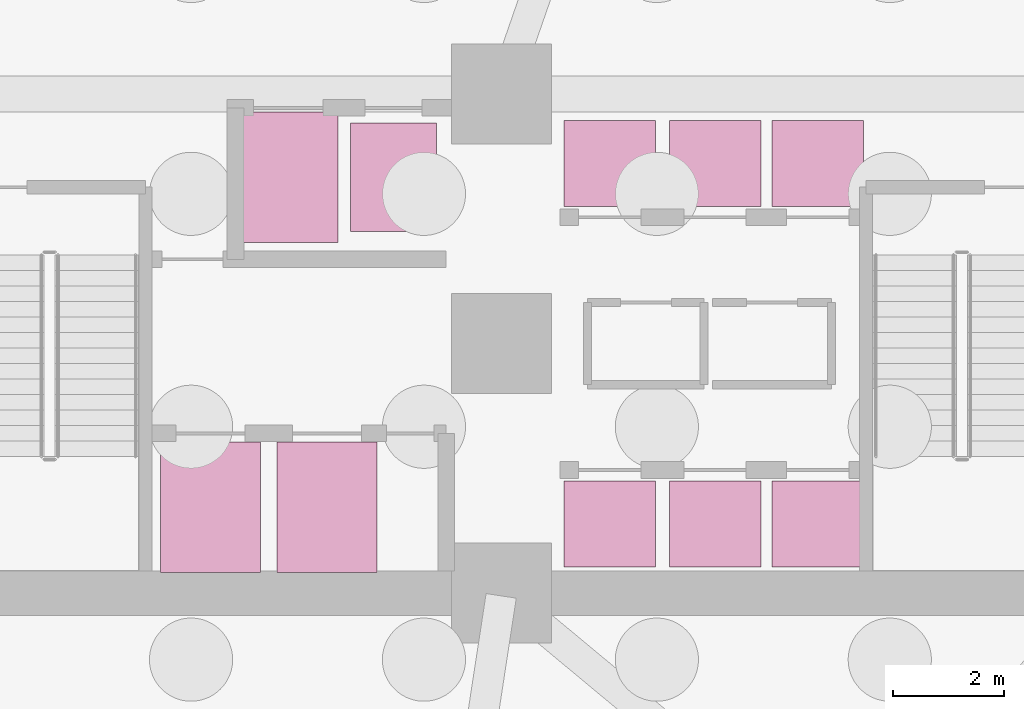
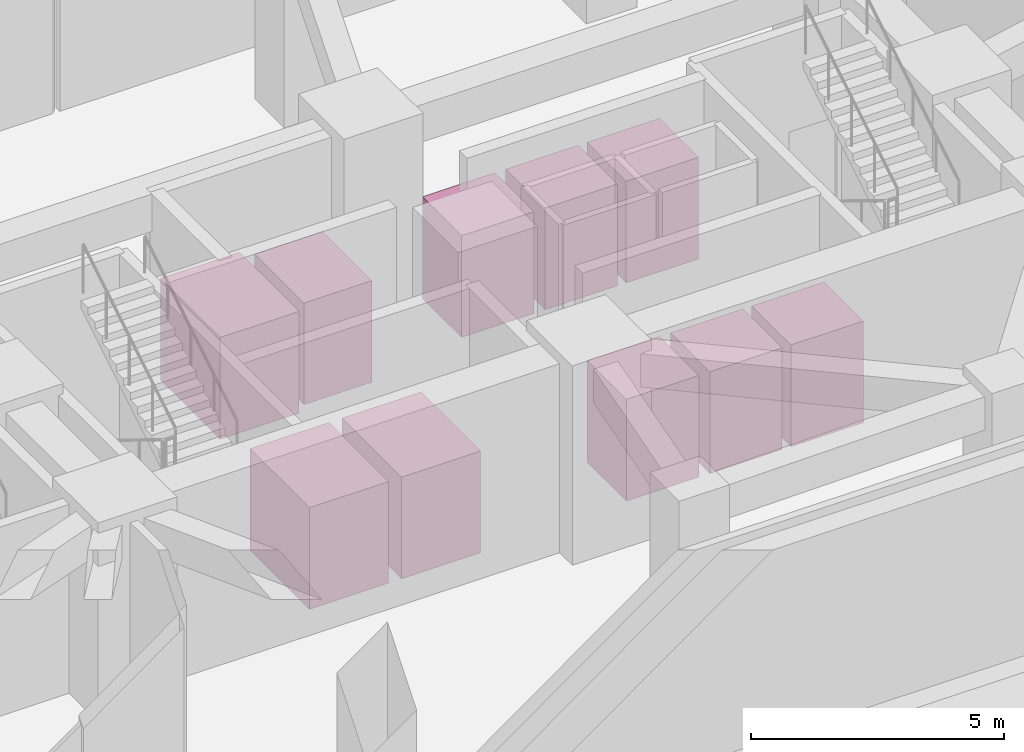
# One storey, part 11 of 11: 10 transport elements.
"""IFC4 building model written with IfcOpenShell, lengths in metres."""

import ifcopenshell
import ifcopenshell.guid

model = None  # the IFC model being written
_history = None  # IfcOwnerHistory: only IFC2X3 demands one
_inside = {}  # id of a spatial element -> (the spatial element, [elements in it])
_under = {}  # id of a project, library or spatial element -> (it, [spatial elements below it])
_declared = {}  # id of a project -> (the project, [libraries it declares])
_typed = {}  # id of a type object -> (the type object, [elements of that type])
_made_of = {}  # id of a material, layer set ... -> (it, [elements and type objects made of it])


def new_model(schema):
    """Start an empty IFC model of exactly this schema.

    Asked for "IFC4X3", IfcOpenShell would pick the latest addendum, in which some entities
    have other attributes; the version numbers below select the first issue.
    IFC2X3 requires an IfcOwnerHistory on every rooted entity: one is made here for all.
    """
    global model, _history
    if schema == "IFC4X3":
        model = ifcopenshell.file(schema_version=(4, 3, 0, 0))
    else:
        model = ifcopenshell.file(schema=schema)
    _inside.clear()
    _under.clear()
    _declared.clear()
    _typed.clear()
    _made_of.clear()
    _history = None
    if model.schema == "IFC2X3":
        org = make("IfcOrganization", Name="unknown")
        user = make(
            "IfcPersonAndOrganization",
            ThePerson=make("IfcPerson", FamilyName="unknown"),
            TheOrganization=org,
        )
        app = make(
            "IfcApplication",
            ApplicationDeveloper=org,
            Version="unknown",
            ApplicationFullName="unknown",
            ApplicationIdentifier="unknown",
        )
        _history = make(
            "IfcOwnerHistory",
            OwningUser=user,
            OwningApplication=app,
            ChangeAction="ADDED",
            CreationDate=0,
        )
    return model


def make(cls, **values):
    """One entity of the class cls with the attributes given. An attribute that is None is left unset."""
    return model.create_entity(
        cls, **{name: value for name, value in values.items() if value is not None}
    )


def rooted(cls, **values):
    """An entity with a GlobalId (a new one), such as an element, a storey or a relation."""
    return make(cls, GlobalId=ifcopenshell.guid.new(), OwnerHistory=_history, **values)


def si_unit(unit_type, name, prefix=None):
    """IfcSIUnit, for example si_unit("LENGTHUNIT", "METRE", prefix="MILLI")."""
    return make("IfcSIUnit", UnitType=unit_type, Prefix=prefix, Name=name)


def assignment(units):
    """IfcUnitAssignment: the units of a project."""
    return None if units is None else make("IfcUnitAssignment", Units=units)


def point(xyz):
    """IfcCartesianPoint."""
    return None if xyz is None else make("IfcCartesianPoint", Coordinates=xyz)


def direction(xyz):
    """IfcDirection."""
    return None if xyz is None else make("IfcDirection", DirectionRatios=xyz)


def frame(location, z_axis=None, x_axis=None):
    """IfcAxis2Placement3D, a coordinate frame: its origin and axes. An axis left out is left unset."""
    return make(
        "IfcAxis2Placement3D",
        Location=point(location),
        Axis=direction(z_axis),
        RefDirection=direction(x_axis),
    )


def frame_2d(location, x_axis=None):
    """IfcAxis2Placement2D, a coordinate frame in the plane: its origin and x axis."""
    return make(
        "IfcAxis2Placement2D", Location=point(location), RefDirection=direction(x_axis)
    )


def origin():
    """The frame at (0, 0, 0) with its axes left unset."""
    return frame((0.0, 0.0, 0.0))


def origin_2d():
    """The frame at (0, 0) in the plane with its x axis left unset."""
    return frame_2d((0.0, 0.0))


def place(relative_to, where):
    """IfcLocalPlacement: puts the frame where relative to a parent placement (None: the world)."""
    return make(
        "IfcLocalPlacement", PlacementRelTo=relative_to, RelativePlacement=where
    )


def context(
    kind, dimensions, precision=None, world=None, true_north=None, identifier=None
):
    """IfcGeometricRepresentationContext, for example the 3D "Model" context."""
    return make(
        "IfcGeometricRepresentationContext",
        ContextIdentifier=identifier,
        ContextType=kind,
        CoordinateSpaceDimension=dimensions,
        Precision=precision,
        WorldCoordinateSystem=world,
        TrueNorth=true_north,
    )


def subcontext(parent, identifier, kind, view, scale=None):
    """IfcGeometricRepresentationSubContext, for example "Body" below "Model"."""
    return make(
        "IfcGeometricRepresentationSubContext",
        ContextIdentifier=identifier,
        ContextType=kind,
        ParentContext=parent,
        TargetScale=scale,
        TargetView=view,
    )


def project(units=None, contexts=None):
    """IfcProject with its units and contexts."""
    return rooted(
        "IfcProject",
        Name="project",
        RepresentationContexts=contexts,
        UnitsInContext=assignment(units),
    )


def spatial(cls, under=None, at=None, **own):
    """A site, building, storey or space (cls), placed at a placement, below another one or the project."""
    s = rooted(cls, ObjectPlacement=at, **own)
    if under is not None:
        _under.setdefault(under.id(), (under, []))[1].append(s)
    return s


def profile(cls, at=None, kind="AREA", **sizes):
    """A parametric profile (cls). Its sizes go by their IFC names, for example OverallWidth=200.0."""
    return make(cls, ProfileType=kind, Position=at, **sizes)


def rectangle(**sizes):
    """IfcRectangleProfileDef."""
    return profile("IfcRectangleProfileDef", **sizes)


def extrude(swept, where, along, depth):
    """IfcExtrudedAreaSolid: the profile swept, set in the frame where, extruded along a direction by depth."""
    return make(
        "IfcExtrudedAreaSolid",
        SweptArea=swept,
        Position=where,
        ExtrudedDirection=direction(along),
        Depth=depth,
    )


def shape(context_of_items, identifier, shape_type, items):
    """IfcShapeRepresentation: the items that make up one representation, for example the "Body"."""
    return make(
        "IfcShapeRepresentation",
        ContextOfItems=context_of_items,
        RepresentationIdentifier=identifier,
        RepresentationType=shape_type,
        Items=items,
    )


def material(Name=None, Category=None):
    """IfcMaterial."""
    return make("IfcMaterial", Name=Name, Category=Category)


def made_of(thing, what):
    """Note that an element or type object is made of a material, layer set ...; save() writes the relation."""
    if what is not None:
        _made_of.setdefault(what.id(), (what, []))[1].append(thing)
    return thing


def type_object(cls, material=None, **own):
    """A type object (cls), such as IfcWallType, which elements share."""
    return made_of(rooted(cls, **own), material)


def element(
    cls,
    number,
    at=None,
    inside=None,
    cuts=None,
    type_object=None,
    material=None,
    context=None,
    identifier="Body",
    shape_type=None,
    held_by="IfcProductDefinitionShape",
    body=None,
    shapes=None,
    **own,
):
    """One element of the class cls, such as IfcWall. Its Tag is "e" and its number.

    at: its placement. inside: the storey or other place that contains it. cuts: it is an
    opening in that element (IfcRelVoidsElement). A single representation is given by context,
    identifier, shape_type and body (its items); several are given by shapes. held_by: the class
    of the entity that holds the representations. save() writes the other relations.
    """
    e = rooted(cls, Tag="e%d" % number, ObjectPlacement=at, **own)
    if body is not None:
        shapes = [shape(context, identifier, shape_type, body)]
    if shapes is not None:
        e.Representation = make(held_by, Representations=shapes)
    if inside is not None:
        _inside.setdefault(inside.id(), (inside, []))[1].append(e)
    if cuts is not None:
        rooted(
            "IfcRelVoidsElement", RelatingBuildingElement=cuts, RelatedOpeningElement=e
        )
    if type_object is not None:
        _typed.setdefault(type_object.id(), (type_object, []))[1].append(e)
    return made_of(e, material)


def aggregate(whole, parts):
    """IfcRelAggregates: a whole, such as a stair, and the parts it consists of."""
    return rooted("IfcRelAggregates", RelatingObject=whole, RelatedObjects=parts)


def save(model, path):
    """Write the relations noted so far, then the file.

    IfcRelAggregates (storeys below a building ...), IfcRelContainedInSpatialStructure (elements
    in a storey), IfcRelDefinesByType, IfcRelAssociatesMaterial and IfcRelDeclares: one each for
    every whole, place, type object, material and project.
    """
    for whole, parts in _under.values():
        aggregate(whole, parts)
    for where, things in _inside.values():
        rooted(
            "IfcRelContainedInSpatialStructure",
            RelatedElements=things,
            RelatingStructure=where,
        )
    for kind, things in _typed.values():
        rooted("IfcRelDefinesByType", RelatedObjects=things, RelatingType=kind)
    for what, things in _made_of.values():
        rooted("IfcRelAssociatesMaterial", RelatedObjects=things, RelatingMaterial=what)
    for by, libraries in _declared.values():
        rooted("IfcRelDeclares", RelatingContext=by, RelatedDefinitions=libraries)
    model.write(path)


model = new_model("IFC4")

# Units and contexts
model_context = context("Model", 3, precision=1e-05, world=origin(), true_north=direction((0.0, 1.0)))
body_context = subcontext(model_context, "Body", "Model", "MODEL_VIEW")
ifc_project = project(units=[si_unit("LENGTHUNIT", "METRE"), si_unit("AREAUNIT", "SQUARE_METRE"), si_unit("VOLUMEUNIT", "CUBIC_METRE"), si_unit("PLANEANGLEUNIT", "RADIAN"), si_unit("MASSUNIT", "GRAM", prefix="KILO")], contexts=[model_context])

# Site, building, storey
site_placement = place(None, origin())
site = spatial("IfcSite", under=ifc_project, at=site_placement, CompositionType="ELEMENT")
building_placement = place(site_placement, origin())
building = spatial("IfcBuilding", under=site, at=building_placement, Name="Gaonmaruhae Medical Tower", CompositionType="ELEMENT")
storey_placement = place(building_placement, frame((0.0, 0.0, -9.60009765625)))
storey = spatial("IfcBuildingStorey", under=building, at=storey_placement, Name="B02", CompositionType="ELEMENT", Elevation=-9.60009765625)

# Transport elements
ifc_material = material(Name="Stainless steel 316L elevator cab", Category="steel")
transport_element_type_1 = type_object("IfcTransportElementType", Name="EL-BD1 Clinical Inpatient Bed Lift Car", PredefinedType="ELEVATOR", material=ifc_material)
transport_element_1_placement = place(storey_placement, frame((20.949951171875, 15.300048828125, 0.0), z_axis=(0.0, 0.0, 1.0), x_axis=(1.0, 0.0, 0.0)))
element("IfcTransportElement", 1, at=transport_element_1_placement, inside=storey, type_object=transport_element_type_1, Name="Elevator Car BDL-01", PredefinedType="ELEVATOR", context=body_context, shape_type="SweptSolid", body=[
    extrude(rectangle(XDim=1.800048828125, YDim=2.35009765625, at=origin_2d()), origin(), (0.0, 0.0, 1.0), 2.449951171875),
])
transport_element_type_2 = type_object("IfcTransportElementType", Name="EL-FF1 Firefighting & Emergency Stretcher Lift Car", PredefinedType="ELEVATOR", material=ifc_material)
for number, where, z_axis, x_axis, name in (
    (2, (19.550048828125, 9.35009765625, 0.0), (0.0, 0.0, 1.0), (1.0, 0.0, 0.0), "Elevator Car FFL-01"),
    (3, (21.64990234375, 9.35009765625, 0.0), (0.0, 0.0, 1.0), (1.0, 0.0, 0.0), "Elevator Car FFL-02"),
):
    element("IfcTransportElement", number, at=place(storey_placement, frame(where, z_axis=z_axis, x_axis=x_axis)), inside=storey, type_object=transport_element_type_2, Name=name, PredefinedType="ELEVATOR", context=body_context, shape_type="SweptSolid", body=[
        extrude(rectangle(XDim=1.800048828125, YDim=2.35009765625, at=origin_2d()), origin(), (0.0, 0.0, 1.0), 2.449951171875),
    ])
transport_element_type_3 = type_object("IfcTransportElementType", Name="EL-PL1 High-Speed Zoned Passenger Lift Car", PredefinedType="ELEVATOR", material=ifc_material)
for number, where, z_axis, x_axis, name in (
    (4, (26.75, 9.050048828125, 0.0), (0.0, 0.0, 1.0), (1.0, 0.0, 0.0), "Elevator Car PL-L1"),
    (5, (28.64990234375, 9.050048828125, 0.0), (0.0, 0.0, 1.0), (1.0, 0.0, 0.0), "Elevator Car PL-L2"),
    (6, (30.5, 9.050048828125, 0.0), (0.0, 0.0, 1.0), (1.0, 0.0, 0.0), "Elevator Car PL-H1"),
    (7, (26.75, 15.550048828125, 0.0), (0.0, 0.0, 1.0), (1.0, 0.0, 0.0), "Elevator Car PL-M1"),
    (8, (28.64990234375, 15.550048828125, 0.0), (0.0, 0.0, 1.0), (1.0, 0.0, 0.0), "Elevator Car PL-M2"),
    (9, (30.5, 15.550048828125, 0.0), (0.0, 0.0, 1.0), (1.0, 0.0, 0.0), "Elevator Car PL-H2"),
):
    element("IfcTransportElement", number, at=place(storey_placement, frame(where, z_axis=z_axis, x_axis=x_axis)), inside=storey, type_object=transport_element_type_3, Name=name, PredefinedType="ELEVATOR", context=body_context, shape_type="SweptSolid", body=[
        extrude(rectangle(XDim=1.64990234375, YDim=1.550048828125, at=origin_2d()), origin(), (0.0, 0.0, 1.0), 2.449951171875),
    ])
transport_element_type_4 = type_object("IfcTransportElementType", Name="EL-SV1 Clean Medical Supply Service Lift Car", PredefinedType="ELEVATOR", material=ifc_material)
transport_element_2_placement = place(storey_placement, frame((22.85009765625, 15.300048828125, 0.0), z_axis=(0.0, 0.0, 1.0), x_axis=(1.0, 0.0, 0.0)))
element("IfcTransportElement", 10, at=transport_element_2_placement, inside=storey, type_object=transport_element_type_4, Name="Elevator Car SVL-01", PredefinedType="ELEVATOR", context=body_context, shape_type="SweptSolid", body=[
    extrude(rectangle(XDim=1.550048828125, YDim=1.949951171875, at=origin_2d()), origin(), (0.0, 0.0, 1.0), 2.449951171875),
])

save(model, "model.ifc")
